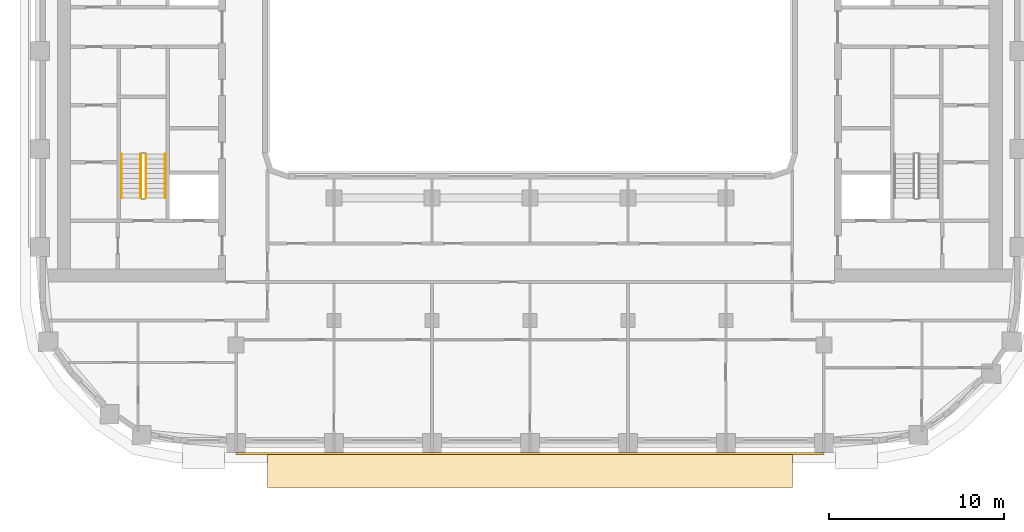
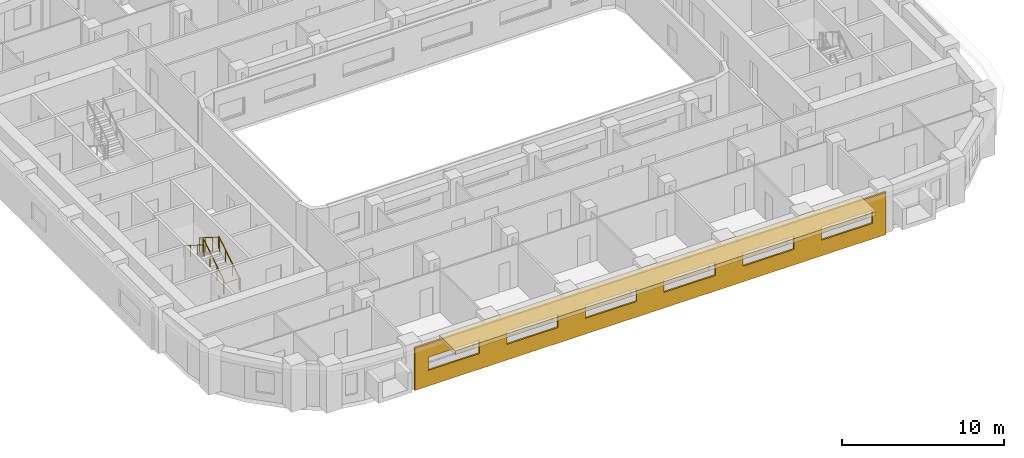
# One storey, part 12 of 22: 4 railings, 2 coverings.
"""IFC4 building model written with IfcOpenShell, lengths in metres."""

from ifc_helpers import new_model, si_unit, direction, frame, origin, origin_2d, place, context, subcontext, project, spatial, polyline, circle, outline, extrude, material, layer, layer_set, type_object, element, save


model = new_model("IFC4")

# Units and contexts
model_context = context("Model", 3, precision=1e-05, world=origin(), true_north=direction((0.0, 1.0)))
body_context = subcontext(model_context, "Body", "Model", "MODEL_VIEW")
ifc_project = project(units=[si_unit("LENGTHUNIT", "METRE"), si_unit("AREAUNIT", "SQUARE_METRE"), si_unit("VOLUMEUNIT", "CUBIC_METRE"), si_unit("PLANEANGLEUNIT", "RADIAN"), si_unit("MASSUNIT", "GRAM", prefix="KILO")], contexts=[model_context])

# Site, building, storey
site_placement = place(None, origin())
site = spatial("IfcSite", under=ifc_project, at=site_placement, CompositionType="ELEMENT")
building_placement = place(site_placement, origin())
building = spatial("IfcBuilding", under=site, at=building_placement, Name="Kiln Ring Residences", CompositionType="ELEMENT")
storey_placement = place(building_placement, frame((0.0, 0.0, 150.10009765625)))
storey = spatial("IfcBuildingStorey", under=building, at=storey_placement, Name="L38", CompositionType="ELEMENT", Elevation=150.10009765625)

# Railings
ifc_material_1 = material(Name="Stainless steel", Category="steel")
railing_type_1 = type_object("IfcRailingType", Name="CORE-STAIR-GUARD", PredefinedType="GUARDRAIL", material=ifc_material_1)
railing_1_placement = place(storey_placement, frame((-21.949951171875, -8.39990234375, 0.1748046875)))
element("IfcRailing", 1, at=railing_1_placement, inside=storey, type_object=railing_type_1, Name="L38 W-STS stair guard 1", PredefinedType="GUARDRAIL", context=body_context, shape_type="SweptSolid", body=[
    extrude(circle(Radius=0.02392578125, at=origin_2d()), frame((0.0, 0.0, 1.076171875), z_axis=(0.0, 0.847970611238, 0.530043245855), x_axis=(-1.0, 0.0, 0.0)), (0.0, 0.0, 1.0), 2.971923828125),
    extrude(circle(Radius=0.02099609375, at=origin_2d()), origin(), (0.0, 0.0, 1.0), 1.052001953125),
    extrude(circle(Radius=0.02099609375, at=origin_2d()), frame((0.0, 0.840087890625, 0.525146484375)), (0.0, 0.0, 1.0), 1.052001953125),
    extrude(circle(Radius=0.02099609375, at=origin_2d()), frame((0.0, 1.679931640625, 1.050048828125)), (0.0, 0.0, 1.0), 1.052001953125),
    extrude(circle(Radius=0.02099609375, at=origin_2d()), frame((0.0, 2.52001953125, 1.5751953125)), (0.0, 0.0, 1.0), 1.052001953125),
])
railing_2_placement = place(storey_placement, frame((-22.25, -5.8798828125, 1.9248046875)))
element("IfcRailing", 2, at=railing_2_placement, inside=storey, type_object=railing_type_1, Name="L38 W-STS stair guard 3", PredefinedType="GUARDRAIL", context=body_context, shape_type="SweptSolid", body=[
    extrude(circle(Radius=0.02392578125, at=origin_2d()), frame((0.0, 0.0, 1.076171875), z_axis=(0.0, -0.847970611238, 0.530043245855), x_axis=(1.0, 0.0, 0.0)), (0.0, 0.0, 1.0), 2.971923828125),
    extrude(circle(Radius=0.02099609375, at=origin_2d()), origin(), (0.0, 0.0, 1.0), 1.052001953125),
    extrude(circle(Radius=0.02099609375, at=origin_2d()), frame((0.0, -0.840087890625, 0.525146484375)), (0.0, 0.0, 1.0), 1.052001953125),
    extrude(circle(Radius=0.02099609375, at=origin_2d()), frame((0.0, -1.679931640625, 1.050048828125)), (0.0, 0.0, 1.0), 1.052001953125),
    extrude(circle(Radius=0.02099609375, at=origin_2d()), frame((0.0, -2.52001953125, 1.5751953125)), (0.0, 0.0, 1.0), 1.052001953125),
])
ifc_material_2 = material(Name="Stainless steel", Category="steel")
railing_type_2 = type_object("IfcRailingType", Name="CORE-STAIR-HANDRAIL", PredefinedType="HANDRAIL", material=ifc_material_2)
railing_3_placement = place(storey_placement, frame((-20.85009765625, -8.39990234375, 0.1748046875)))
element("IfcRailing", 3, at=railing_3_placement, inside=storey, type_object=railing_type_2, Name="L38 W-STS stair handrail 1", PredefinedType="HANDRAIL", context=body_context, shape_type="SweptSolid", body=[
    extrude(circle(Radius=0.02392578125, at=origin_2d()), frame((0.0, 0.0, 0.8759765625), z_axis=(0.0, 0.847970611238, 0.530043245855), x_axis=(-1.0, 0.0, 0.0)), (0.0, 0.0, 1.0), 2.971923828125),
    extrude(circle(Radius=0.02099609375, at=origin_2d()), origin(), (0.0, 0.0, 1.0), 0.851806640625),
    extrude(circle(Radius=0.02099609375, at=origin_2d()), frame((0.0, 0.840087890625, 0.525146484375)), (0.0, 0.0, 1.0), 0.851806640625),
    extrude(circle(Radius=0.02099609375, at=origin_2d()), frame((0.0, 1.679931640625, 1.050048828125)), (0.0, 0.0, 1.0), 0.851806640625),
    extrude(circle(Radius=0.02099609375, at=origin_2d()), frame((0.0, 2.52001953125, 1.5751953125)), (0.0, 0.0, 1.0), 0.851806640625),
])
railing_4_placement = place(storey_placement, frame((-23.35009765625, -5.8798828125, 1.9248046875)))
element("IfcRailing", 4, at=railing_4_placement, inside=storey, type_object=railing_type_2, Name="L38 W-STS stair handrail 2", PredefinedType="HANDRAIL", context=body_context, shape_type="SweptSolid", body=[
    extrude(circle(Radius=0.02392578125, at=origin_2d()), frame((0.0, 0.0, 0.8759765625), z_axis=(0.0, -0.847970611238, 0.530043245855), x_axis=(1.0, 0.0, 0.0)), (0.0, 0.0, 1.0), 2.971923828125),
    extrude(circle(Radius=0.02099609375, at=origin_2d()), origin(), (0.0, 0.0, 1.0), 0.851806640625),
    extrude(circle(Radius=0.02099609375, at=origin_2d()), frame((0.0, -0.840087890625, 0.525146484375)), (0.0, 0.0, 1.0), 0.851806640625),
    extrude(circle(Radius=0.02099609375, at=origin_2d()), frame((0.0, -1.679931640625, 1.050048828125)), (0.0, 0.0, 1.0), 0.851806640625),
    extrude(circle(Radius=0.02099609375, at=origin_2d()), frame((0.0, -2.52001953125, 1.5751953125)), (0.0, 0.0, 1.0), 0.851806640625),
])

# Coverings
ifc_material_3 = material(Name="Brick masonry, dark clay brick", Category="masonry")
ifc_layer_1 = layer(ifc_material_3, 0.1201171875)
ifc_layer_set_1 = layer_set([ifc_layer_1], Name="RAINSCREEN PANEL 120")
covering_type_1 = type_object("IfcCoveringType", Name="RAINSCREEN PANEL 120", PredefinedType="CLADDING", material=ifc_layer_set_1)
covering_1_placement = place(storey_placement, frame((-16.800048828125, -23.010009765625, 0.0), z_axis=(0.0, 0.0, 1.0), x_axis=(1.0, 0.0, 0.0)))
element("IfcCovering", 5, at=covering_1_placement, inside=storey, type_object=covering_type_1, Name="RAINSCREEN L38", PredefinedType="CLADDING", context=body_context, shape_type="SweptSolid", body=[
    extrude(outline(polyline([(0.0, 0.0), (33.60009765625, 0.0), (33.60009765625, 3.199951171875), (0.0, 3.199951171875), (0.0, 0.0)]), holes=[polyline([(4.6201171875, 1.179931640625), (4.6201171875, 2.169921875), (0.97998046875, 2.169921875), (0.97998046875, 1.179931640625), (4.6201171875, 1.179931640625)]), polyline([(6.580078125, 1.179931640625), (10.219970703125, 1.179931640625), (10.219970703125, 2.169921875), (6.580078125, 2.169921875), (6.580078125, 1.179931640625)]), polyline([(12.179931640625, 1.179931640625), (15.820068359375, 1.179931640625), (15.820068359375, 2.169921875), (12.179931640625, 2.169921875), (12.179931640625, 1.179931640625)]), polyline([(21.419921875, 1.179931640625), (21.419921875, 2.169921875), (17.780029296875, 2.169921875), (17.780029296875, 1.179931640625), (21.419921875, 1.179931640625)]), polyline([(23.3798828125, 1.179931640625), (27.02001953125, 1.179931640625), (27.02001953125, 2.169921875), (23.3798828125, 2.169921875), (23.3798828125, 1.179931640625)]), polyline([(28.97998046875, 1.179931640625), (32.6201171875, 1.179931640625), (32.6201171875, 2.169921875), (28.97998046875, 2.169921875), (28.97998046875, 1.179931640625)])]), frame((0.0, 0.06005859375, 0.0), z_axis=(0.0, -1.0, 0.0), x_axis=(1.0, 0.0, 0.0)), (0.0, 0.0, 1.0), 0.1201171875),
])
ifc_material_4 = material(Name="Black powder-coated steel", Category="steel")
ifc_layer_2 = layer(ifc_material_4, 0.300048828125)
ifc_layer_set_2 = layer_set([ifc_layer_2], Name="SUNSHADE BAND 2000")
covering_type_2 = type_object("IfcCoveringType", Name="SUNSHADE BAND 2000", PredefinedType="CLADDING", material=ifc_layer_set_2)
covering_2_placement = place(storey_placement, frame((0.0, 0.0, 3.199951171875)))
element("IfcCovering", 6, at=covering_2_placement, inside=storey, type_object=covering_type_2, Name="SUNSHADE BAND L38", PredefinedType="CLADDING", context=body_context, shape_type="SweptSolid", body=[
    extrude(outline(polyline([(-15.0, -24.949951171875), (15.0, -24.949951171875), (15.0, -22.949951171875), (-15.0, -22.949951171875), (-15.0, -24.949951171875)])), origin(), (0.0, 0.0, 1.0), 0.300048828125),
])

save(model, "model.ifc")
